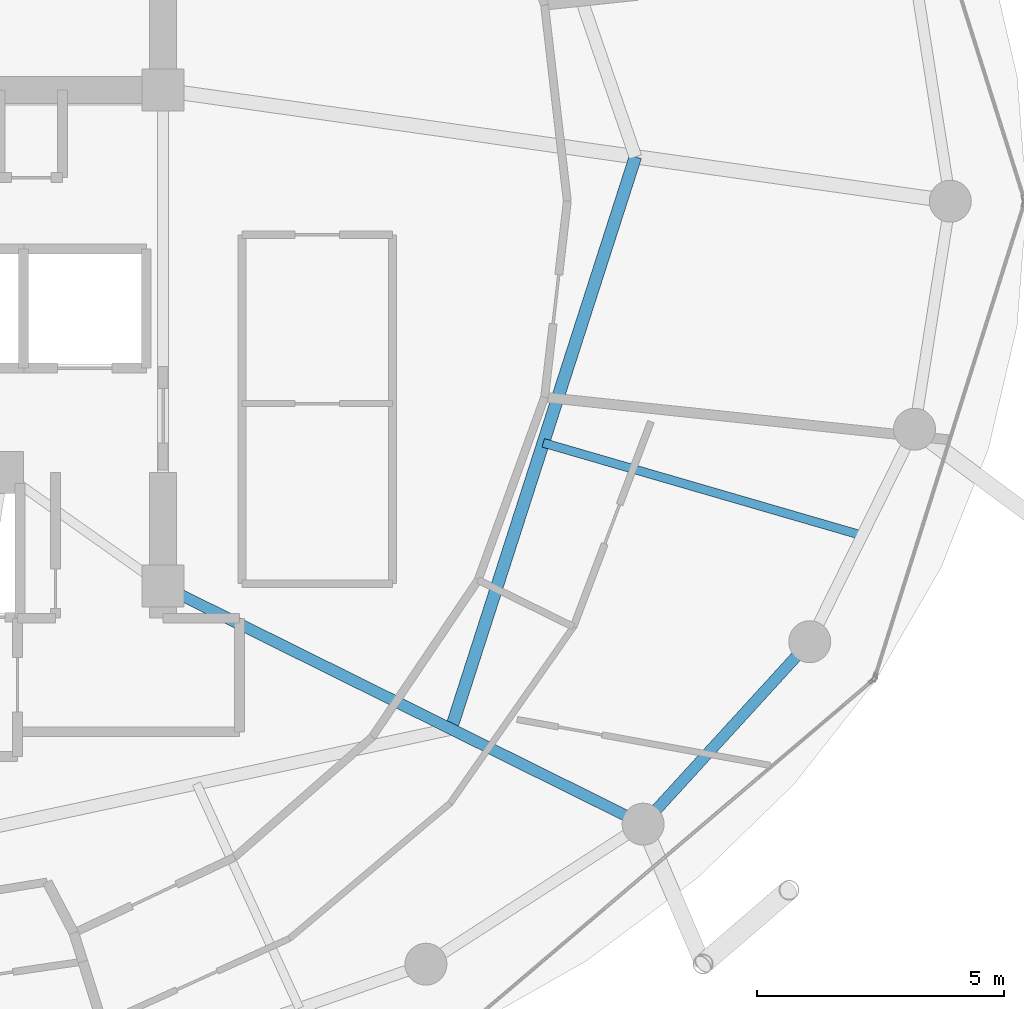
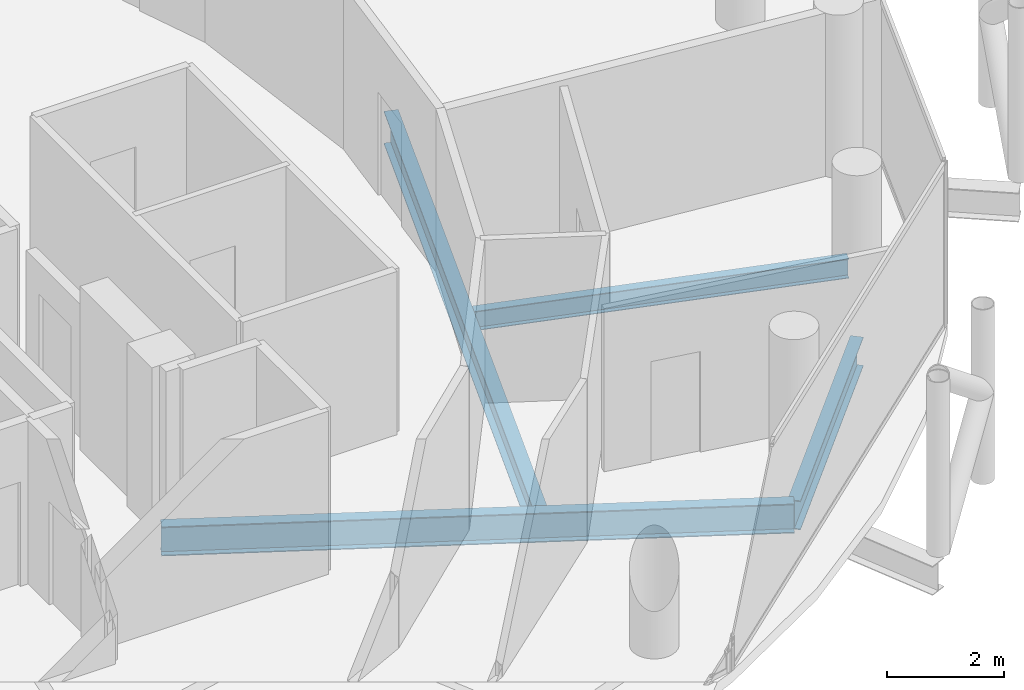
# One storey, part 12 of 27: 4 beams.
"""IFC4 building model written with IfcOpenShell, lengths in metres."""

from ifc_helpers import new_model, si_unit, direction, frame, origin, origin_2d, place, context, subcontext, project, spatial, i_section, extrude, material, material_profile, profile_set, type_object, element, save


model = new_model("IFC4")

# Units and contexts
model_context = context("Model", 3, precision=1e-05, world=origin(), true_north=direction((0.0, 1.0)))
body_context = subcontext(model_context, "Body", "Model", "MODEL_VIEW")
ifc_project = project(units=[si_unit("LENGTHUNIT", "METRE"), si_unit("AREAUNIT", "SQUARE_METRE"), si_unit("VOLUMEUNIT", "CUBIC_METRE"), si_unit("PLANEANGLEUNIT", "RADIAN"), si_unit("MASSUNIT", "GRAM", prefix="KILO")], contexts=[model_context])

# Site, building, storey
site_placement = place(None, origin())
site = spatial("IfcSite", under=ifc_project, at=site_placement, CompositionType="ELEMENT")
building_placement = place(site_placement, origin())
building = spatial("IfcBuilding", under=site, at=building_placement, Name="Nuhasar Tower", CompositionType="ELEMENT")
storey_placement = place(building_placement, frame((0.0, 0.0, 241.0)))
storey = spatial("IfcBuildingStorey", under=building, at=storey_placement, Name="L59", CompositionType="ELEMENT", Elevation=241.0)

# Beams
ifc_material = material(Name="Steel S355", Category="steel")
ifc_material_profile_1 = material_profile(ifc_material, i_section(OverallWidth=0.25390625, OverallDepth=0.68408203125, WebThickness=0.012451171875, FlangeThickness=0.018798828125, at=origin_2d()), Name="W27X94")
ifc_profile_set_1 = profile_set([ifc_material_profile_1], Name="Steel S355")
beam_type_1 = type_object("IfcBeamType", Name="BM-INRING-W27X94", PredefinedType="BEAM", material=ifc_profile_set_1)
beam_1_placement = place(storey_placement, frame((50.135986328125, 16.10693359375, -0.58203125), z_axis=(0.306589852134, 0.951841721385, 0.0), x_axis=(-0.951841721385, 0.306589852134, 0.0)))
element("IfcBeam", 1, at=beam_1_placement, inside=storey, type_object=beam_type_1, Name="L59 Inner Header Beam 03", PredefinedType="BEAM", context=body_context, shape_type="SweptSolid", body=[
    extrude(i_section(OverallWidth=0.25390625, OverallDepth=0.68408203125, WebThickness=0.012451171875, FlangeThickness=0.018798828125, at=origin_2d()), origin(), (0.0, 0.0, 1.0), 12.179443359375),
])
ifc_material_profile_2 = material_profile(ifc_material, i_section(OverallWidth=0.177978515625, OverallDepth=0.406005859375, WebThickness=0.0078125, FlangeThickness=0.0126953125, at=origin_2d()), Name="W16X40")
ifc_profile_set_2 = profile_set([ifc_material_profile_2], Name="Steel S355")
beam_type_2 = type_object("IfcBeamType", Name="BM-JST-W16X40", PredefinedType="JOIST", material=ifc_profile_set_2)
beam_2_placement = place(storey_placement, frame((52.0029296875, 21.904052734375, -0.443115234375), z_axis=(0.960312689798, -0.27892568511, 0.0), x_axis=(0.27892568511, 0.960312689798, 0.0)))
element("IfcBeam", 2, at=beam_2_placement, inside=storey, type_object=beam_type_2, Name="L59 Secondary Floor Joist 03", PredefinedType="JOIST", context=body_context, shape_type="SweptSolid", body=[
    extrude(i_section(OverallWidth=0.177978515625, OverallDepth=0.406005859375, WebThickness=0.0078125, FlangeThickness=0.0126953125, at=origin_2d()), origin(), (0.0, 0.0, 1.0), 6.729248046875),
])
ifc_material_profile_3 = material_profile(ifc_material, i_section(OverallWidth=0.22900390625, OverallDepth=0.612060546875, WebThickness=0.011962890625, FlangeThickness=0.01953125, at=origin_2d()), Name="W24X84")
ifc_profile_set_3 = profile_set([ifc_material_profile_3], Name="Steel S355")
beam_type_3 = type_object("IfcBeamType", Name="BM-RAD-W24X84", PredefinedType="BEAM", material=ifc_profile_set_3)
beam_3_placement = place(storey_placement, frame((44.300048828125, 19.0, -0.5458984375), z_axis=(0.895928935233, -0.444197414459, 0.0), x_axis=(0.444197414459, 0.895928935233, 0.0)))
element("IfcBeam", 3, at=beam_3_placement, inside=storey, type_object=beam_type_3, Name="L59 Radial Floor Girder 03", PredefinedType="BEAM", context=body_context, shape_type="SweptSolid", body=[
    extrude(i_section(OverallWidth=0.22900390625, OverallDepth=0.612060546875, WebThickness=0.011962890625, FlangeThickness=0.01953125, at=origin_2d()), origin(), (0.0, 0.0, 1.0), 10.85546875),
])
ifc_material_profile_4 = material_profile(ifc_material, i_section(OverallWidth=0.22802734375, OverallDepth=0.60791015625, WebThickness=0.01123046875, FlangeThickness=0.017333984375, at=origin_2d()), Name="W24X76")
ifc_profile_set_4 = profile_set([ifc_material_profile_4], Name="Steel S355")
beam_type_4 = type_object("IfcBeamType", Name="BM-RING-W24X76", PredefinedType="SPANDREL", material=ifc_profile_set_4)
beam_4_placement = place(storey_placement, frame((54.02587890625, 14.177978515625, -0.5439453125), z_axis=(0.674449692975, 0.738320805373, 0.0), x_axis=(-0.738320805373, 0.674449692975, 0.0)))
element("IfcBeam", 4, at=beam_4_placement, inside=storey, type_object=beam_type_4, Name="L59 Perimeter Ring Spandrel 22", PredefinedType="SPANDREL", context=body_context, shape_type="SweptSolid", body=[
    extrude(i_section(OverallWidth=0.22802734375, OverallDepth=0.60791015625, WebThickness=0.01123046875, FlangeThickness=0.017333984375, at=origin_2d()), origin(), (0.0, 0.0, 1.0), 5.00732421875),
])

save(model, "model.ifc")
